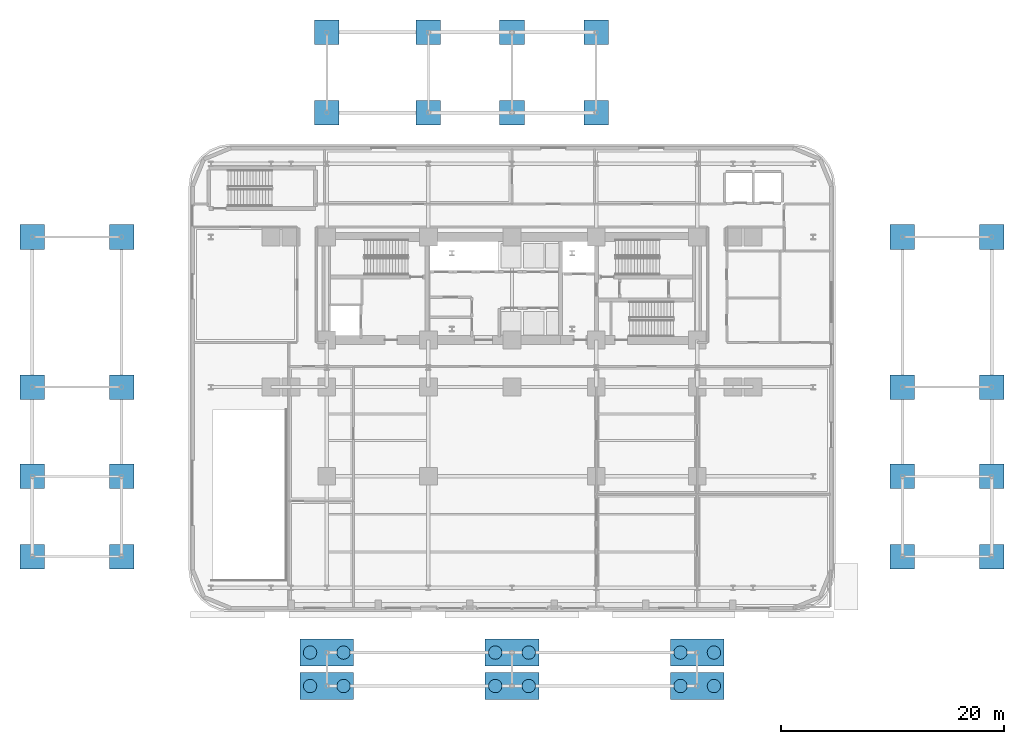
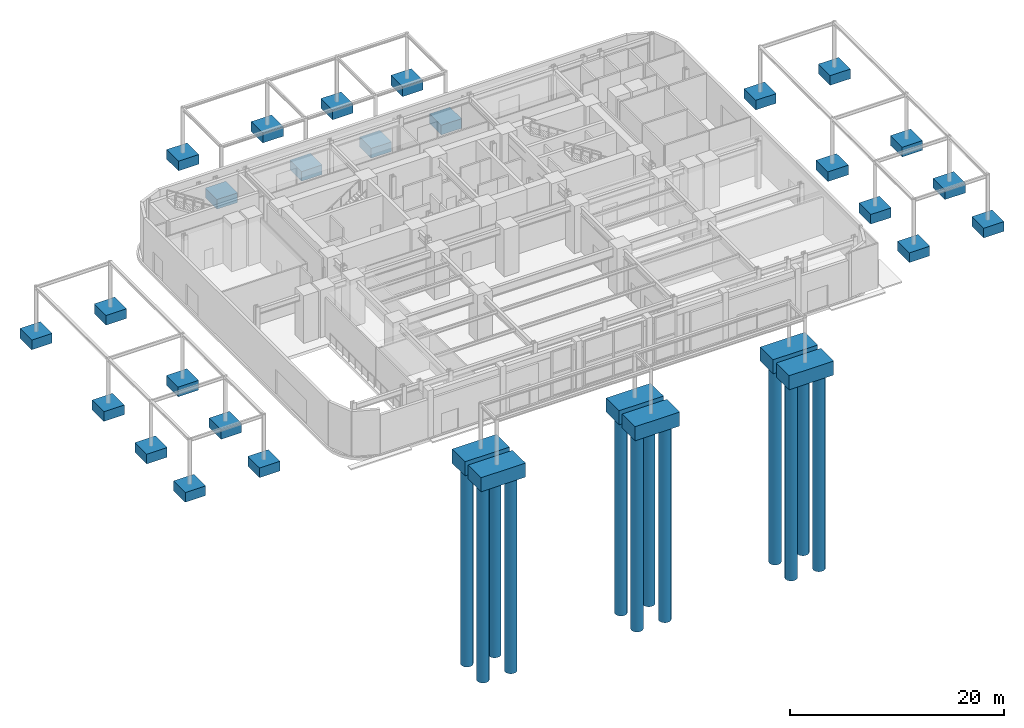
# One storey, part 1 of 21: 30 footings, 12 piles.
"""IFC4 building model written with IfcOpenShell, lengths in metres."""

from ifc_helpers import new_model, si_unit, direction, frame, origin, origin_2d, place, context, subcontext, project, spatial, polyline, circle, outline, extrude, material, layer, layer_set, material_profile, profile_set, type_object, element, save


model = new_model("IFC4")

# Units and contexts
model_context = context("Model", 3, precision=1e-05, world=origin(), true_north=direction((0.0, 1.0)))
body_context = subcontext(model_context, "Body", "Model", "MODEL_VIEW")
ifc_project = project(units=[si_unit("LENGTHUNIT", "METRE"), si_unit("AREAUNIT", "SQUARE_METRE"), si_unit("VOLUMEUNIT", "CUBIC_METRE"), si_unit("PLANEANGLEUNIT", "RADIAN"), si_unit("MASSUNIT", "GRAM", prefix="KILO")], contexts=[model_context])

# Site, building, storey
site_placement = place(None, origin())
site = spatial("IfcSite", under=ifc_project, at=site_placement, CompositionType="ELEMENT")
building_placement = place(site_placement, origin())
building = spatial("IfcBuilding", under=site, at=building_placement, Name="Zarnavel Station Tower", CompositionType="ELEMENT")
storey_placement = place(building_placement, origin())
storey = spatial("IfcBuildingStorey", under=building, at=storey_placement, Name="L01", CompositionType="ELEMENT", Elevation=0.0)

# Piles
ifc_material_1 = material(Name="Concrete C45/55", Category="concrete")
ifc_material_profile = material_profile(ifc_material_1, circle(Radius=0.60009765625, at=origin_2d()), Name="RCCOL1200")
ifc_profile_set = profile_set([ifc_material_profile], Name="Concrete C45/55")
pile_type = type_object("IfcPileType", Name="BP_1200", PredefinedType="BORED", material=ifc_profile_set)
for number, where, z_axis, x_axis, name in (
    (1, (10.699951171875, -3.199951171875, -1.39990234375), (0.0, 0.0, -1.0), (1.0, 0.0, 0.0), "Portal Bored Pile BP65"),
    (2, (13.699951171875, -3.199951171875, -1.39990234375), (0.0, 0.0, -1.0), (1.0, 0.0, 0.0), "Portal Bored Pile BP66"),
    (3, (27.300048828125, -3.199951171875, -1.39990234375), (0.0, 0.0, -1.0), (1.0, 0.0, 0.0), "Portal Bored Pile BP67"),
    (4, (30.300048828125, -3.199951171875, -1.39990234375), (0.0, 0.0, -1.0), (1.0, 0.0, 0.0), "Portal Bored Pile BP68"),
    (5, (43.89990234375, -3.199951171875, -1.39990234375), (0.0, 0.0, -1.0), (1.0, 0.0, 0.0), "Portal Bored Pile BP69"),
    (6, (46.89990234375, -3.199951171875, -1.39990234375), (0.0, 0.0, -1.0), (1.0, 0.0, 0.0), "Portal Bored Pile BP70"),
    (7, (10.699951171875, -0.199951171875, -1.39990234375), (0.0, 0.0, -1.0), (1.0, 0.0, 0.0), "Portal Bored Pile BP71"),
    (8, (13.699951171875, -0.199951171875, -1.39990234375), (0.0, 0.0, -1.0), (1.0, 0.0, 0.0), "Portal Bored Pile BP72"),
    (9, (27.300048828125, -0.199951171875, -1.39990234375), (0.0, 0.0, -1.0), (1.0, 0.0, 0.0), "Portal Bored Pile BP73"),
    (10, (30.300048828125, -0.199951171875, -1.39990234375), (0.0, 0.0, -1.0), (1.0, 0.0, 0.0), "Portal Bored Pile BP74"),
    (11, (43.89990234375, -0.199951171875, -1.39990234375), (0.0, 0.0, -1.0), (1.0, 0.0, 0.0), "Portal Bored Pile BP75"),
    (12, (46.89990234375, -0.199951171875, -1.39990234375), (0.0, 0.0, -1.0), (1.0, 0.0, 0.0), "Portal Bored Pile BP76"),
):
    element("IfcPile", number, at=place(storey_placement, frame(where, z_axis=z_axis, x_axis=x_axis)), inside=storey, type_object=pile_type, Name=name, PredefinedType="BORED", context=body_context, shape_type="SweptSolid", body=[
        extrude(circle(Radius=0.60009765625, at=origin_2d()), origin(), (0.0, 0.0, 1.0), 22.60009765625),
    ])

# Footings
ifc_material_2 = material(Name="Concrete C45/55", Category="concrete")
ifc_layer_1 = layer(ifc_material_2, 1.60009765625)
ifc_layer_set_1 = layer_set([ifc_layer_1], Name="FC_PORTAL_3200")
footing_type_1 = type_object("IfcFootingType", Name="FC_PORTAL_3200", PredefinedType="PILE_CAP", material=ifc_layer_set_1)
footing_1_placement = place(storey_placement, frame((0.0, 0.0, -1.60009765625)))
element("IfcFooting", 13, at=footing_1_placement, inside=storey, type_object=footing_type_1, Name="Station Portal Pile Cap 01", PredefinedType="PILE_CAP", context=body_context, shape_type="SweptSolid", body=[
    extrude(outline(polyline([(9.800048828125, -4.39990234375), (14.60009765625, -4.39990234375), (14.60009765625, -2.0), (9.800048828125, -2.0), (9.800048828125, -4.39990234375)])), origin(), (0.0, 0.0, 1.0), 1.60009765625),
])
footing_2_placement = place(storey_placement, frame((0.0, 0.0, -1.60009765625)))
element("IfcFooting", 14, at=footing_2_placement, inside=storey, type_object=footing_type_1, Name="Station Portal Pile Cap 02", PredefinedType="PILE_CAP", context=body_context, shape_type="SweptSolid", body=[
    extrude(outline(polyline([(26.39990234375, -4.39990234375), (31.199951171875, -4.39990234375), (31.199951171875, -2.0), (26.39990234375, -2.0), (26.39990234375, -4.39990234375)])), origin(), (0.0, 0.0, 1.0), 1.60009765625),
])
footing_3_placement = place(storey_placement, frame((0.0, 0.0, -1.60009765625)))
element("IfcFooting", 15, at=footing_3_placement, inside=storey, type_object=footing_type_1, Name="Station Portal Pile Cap 03", PredefinedType="PILE_CAP", context=body_context, shape_type="SweptSolid", body=[
    extrude(outline(polyline([(43.0, -4.39990234375), (47.800048828125, -4.39990234375), (47.800048828125, -2.0), (43.0, -2.0), (43.0, -4.39990234375)])), origin(), (0.0, 0.0, 1.0), 1.60009765625),
])
footing_4_placement = place(storey_placement, frame((0.0, 0.0, -1.60009765625)))
element("IfcFooting", 16, at=footing_4_placement, inside=storey, type_object=footing_type_1, Name="Station Portal Pile Cap 04", PredefinedType="PILE_CAP", context=body_context, shape_type="SweptSolid", body=[
    extrude(outline(polyline([(9.800048828125, -1.39990234375), (14.60009765625, -1.39990234375), (14.60009765625, 1.0), (9.800048828125, 1.0), (9.800048828125, -1.39990234375)])), origin(), (0.0, 0.0, 1.0), 1.60009765625),
])
footing_5_placement = place(storey_placement, frame((0.0, 0.0, -1.60009765625)))
element("IfcFooting", 17, at=footing_5_placement, inside=storey, type_object=footing_type_1, Name="Station Portal Pile Cap 05", PredefinedType="PILE_CAP", context=body_context, shape_type="SweptSolid", body=[
    extrude(outline(polyline([(26.39990234375, -1.39990234375), (31.199951171875, -1.39990234375), (31.199951171875, 1.0), (26.39990234375, 1.0), (26.39990234375, -1.39990234375)])), origin(), (0.0, 0.0, 1.0), 1.60009765625),
])
footing_6_placement = place(storey_placement, frame((0.0, 0.0, -1.60009765625)))
element("IfcFooting", 18, at=footing_6_placement, inside=storey, type_object=footing_type_1, Name="Station Portal Pile Cap 06", PredefinedType="PILE_CAP", context=body_context, shape_type="SweptSolid", body=[
    extrude(outline(polyline([(43.0, -1.39990234375), (47.800048828125, -1.39990234375), (47.800048828125, 1.0), (43.0, 1.0), (43.0, -1.39990234375)])), origin(), (0.0, 0.0, 1.0), 1.60009765625),
])
ifc_material_3 = material(Name="Concrete C45/55", Category="concrete")
ifc_layer_2 = layer(ifc_material_3, 1.10009765625)
ifc_layer_set_2 = layer_set([ifc_layer_2], Name="FP_CANOPY_2200")
footing_type_2 = type_object("IfcFootingType", Name="FP_CANOPY_2200", PredefinedType="PAD_FOOTING", material=ifc_layer_set_2)
footing_7_placement = place(storey_placement, frame((0.0, 0.0, -1.10009765625)))
element("IfcFooting", 19, at=footing_7_placement, inside=storey, type_object=footing_type_2, Name="East Forecourt Canopy Pad Footing 1-01", PredefinedType="PAD_FOOTING", context=body_context, shape_type="SweptSolid", body=[
    extrude(outline(polyline([(62.699951171875, 7.300048828125), (64.89990234375, 7.300048828125), (64.89990234375, 9.5), (62.699951171875, 9.5), (62.699951171875, 7.300048828125)])), origin(), (0.0, 0.0, 1.0), 1.10009765625),
])
footing_8_placement = place(storey_placement, frame((0.0, 0.0, -1.10009765625)))
element("IfcFooting", 20, at=footing_8_placement, inside=storey, type_object=footing_type_2, Name="East Forecourt Canopy Pad Footing 1-02", PredefinedType="PAD_FOOTING", context=body_context, shape_type="SweptSolid", body=[
    extrude(outline(polyline([(62.699951171875, 14.5), (64.89990234375, 14.5), (64.89990234375, 16.699951171875), (62.699951171875, 16.699951171875), (62.699951171875, 14.5)])), origin(), (0.0, 0.0, 1.0), 1.10009765625),
])
footing_9_placement = place(storey_placement, frame((0.0, 0.0, -1.10009765625)))
element("IfcFooting", 21, at=footing_9_placement, inside=storey, type_object=footing_type_2, Name="East Forecourt Canopy Pad Footing 1-03", PredefinedType="PAD_FOOTING", context=body_context, shape_type="SweptSolid", body=[
    extrude(outline(polyline([(62.699951171875, 22.5), (64.89990234375, 22.5), (64.89990234375, 24.699951171875), (62.699951171875, 24.699951171875), (62.699951171875, 22.5)])), origin(), (0.0, 0.0, 1.0), 1.10009765625),
])
footing_10_placement = place(storey_placement, frame((0.0, 0.0, -1.10009765625)))
element("IfcFooting", 22, at=footing_10_placement, inside=storey, type_object=footing_type_2, Name="East Forecourt Canopy Pad Footing 1-04", PredefinedType="PAD_FOOTING", context=body_context, shape_type="SweptSolid", body=[
    extrude(outline(polyline([(62.699951171875, 35.949951171875), (64.89990234375, 35.949951171875), (64.89990234375, 38.14990234375), (62.699951171875, 38.14990234375), (62.699951171875, 35.949951171875)])), origin(), (0.0, 0.0, 1.0), 1.10009765625),
])
footing_11_placement = place(storey_placement, frame((0.0, 0.0, -1.10009765625)))
element("IfcFooting", 23, at=footing_11_placement, inside=storey, type_object=footing_type_2, Name="East Forecourt Canopy Pad Footing 2-01", PredefinedType="PAD_FOOTING", context=body_context, shape_type="SweptSolid", body=[
    extrude(outline(polyline([(70.699951171875, 7.300048828125), (72.89990234375, 7.300048828125), (72.89990234375, 9.5), (70.699951171875, 9.5), (70.699951171875, 7.300048828125)])), origin(), (0.0, 0.0, 1.0), 1.10009765625),
])
footing_12_placement = place(storey_placement, frame((0.0, 0.0, -1.10009765625)))
element("IfcFooting", 24, at=footing_12_placement, inside=storey, type_object=footing_type_2, Name="East Forecourt Canopy Pad Footing 2-02", PredefinedType="PAD_FOOTING", context=body_context, shape_type="SweptSolid", body=[
    extrude(outline(polyline([(70.699951171875, 14.5), (72.89990234375, 14.5), (72.89990234375, 16.699951171875), (70.699951171875, 16.699951171875), (70.699951171875, 14.5)])), origin(), (0.0, 0.0, 1.0), 1.10009765625),
])
footing_13_placement = place(storey_placement, frame((0.0, 0.0, -1.10009765625)))
element("IfcFooting", 25, at=footing_13_placement, inside=storey, type_object=footing_type_2, Name="East Forecourt Canopy Pad Footing 2-03", PredefinedType="PAD_FOOTING", context=body_context, shape_type="SweptSolid", body=[
    extrude(outline(polyline([(70.699951171875, 22.5), (72.89990234375, 22.5), (72.89990234375, 24.699951171875), (70.699951171875, 24.699951171875), (70.699951171875, 22.5)])), origin(), (0.0, 0.0, 1.0), 1.10009765625),
])
footing_14_placement = place(storey_placement, frame((0.0, 0.0, -1.10009765625)))
element("IfcFooting", 26, at=footing_14_placement, inside=storey, type_object=footing_type_2, Name="East Forecourt Canopy Pad Footing 2-04", PredefinedType="PAD_FOOTING", context=body_context, shape_type="SweptSolid", body=[
    extrude(outline(polyline([(70.699951171875, 35.949951171875), (72.89990234375, 35.949951171875), (72.89990234375, 38.14990234375), (70.699951171875, 38.14990234375), (70.699951171875, 35.949951171875)])), origin(), (0.0, 0.0, 1.0), 1.10009765625),
])
footing_15_placement = place(storey_placement, frame((0.0, 0.0, -1.10009765625)))
element("IfcFooting", 27, at=footing_15_placement, inside=storey, type_object=footing_type_2, Name="West Forecourt Canopy Pad Footing 1-01", PredefinedType="PAD_FOOTING", context=body_context, shape_type="SweptSolid", body=[
    extrude(outline(polyline([(-7.300048828125, 7.300048828125), (-5.10009765625, 7.300048828125), (-5.10009765625, 9.5), (-7.300048828125, 9.5), (-7.300048828125, 7.300048828125)])), origin(), (0.0, 0.0, 1.0), 1.10009765625),
])
footing_16_placement = place(storey_placement, frame((0.0, 0.0, -1.10009765625)))
element("IfcFooting", 28, at=footing_16_placement, inside=storey, type_object=footing_type_2, Name="West Forecourt Canopy Pad Footing 1-02", PredefinedType="PAD_FOOTING", context=body_context, shape_type="SweptSolid", body=[
    extrude(outline(polyline([(-7.300048828125, 14.5), (-5.10009765625, 14.5), (-5.10009765625, 16.699951171875), (-7.300048828125, 16.699951171875), (-7.300048828125, 14.5)])), origin(), (0.0, 0.0, 1.0), 1.10009765625),
])
footing_17_placement = place(storey_placement, frame((0.0, 0.0, -1.10009765625)))
element("IfcFooting", 29, at=footing_17_placement, inside=storey, type_object=footing_type_2, Name="West Forecourt Canopy Pad Footing 1-03", PredefinedType="PAD_FOOTING", context=body_context, shape_type="SweptSolid", body=[
    extrude(outline(polyline([(-7.300048828125, 22.5), (-5.10009765625, 22.5), (-5.10009765625, 24.699951171875), (-7.300048828125, 24.699951171875), (-7.300048828125, 22.5)])), origin(), (0.0, 0.0, 1.0), 1.10009765625),
])
footing_18_placement = place(storey_placement, frame((0.0, 0.0, -1.10009765625)))
element("IfcFooting", 30, at=footing_18_placement, inside=storey, type_object=footing_type_2, Name="West Forecourt Canopy Pad Footing 1-04", PredefinedType="PAD_FOOTING", context=body_context, shape_type="SweptSolid", body=[
    extrude(outline(polyline([(-7.300048828125, 35.949951171875), (-5.10009765625, 35.949951171875), (-5.10009765625, 38.14990234375), (-7.300048828125, 38.14990234375), (-7.300048828125, 35.949951171875)])), origin(), (0.0, 0.0, 1.0), 1.10009765625),
])
footing_19_placement = place(storey_placement, frame((0.0, 0.0, -1.10009765625)))
element("IfcFooting", 31, at=footing_19_placement, inside=storey, type_object=footing_type_2, Name="West Forecourt Canopy Pad Footing 2-01", PredefinedType="PAD_FOOTING", context=body_context, shape_type="SweptSolid", body=[
    extrude(outline(polyline([(-15.300048828125, 7.300048828125), (-13.10009765625, 7.300048828125), (-13.10009765625, 9.5), (-15.300048828125, 9.5), (-15.300048828125, 7.300048828125)])), origin(), (0.0, 0.0, 1.0), 1.10009765625),
])
footing_20_placement = place(storey_placement, frame((0.0, 0.0, -1.10009765625)))
element("IfcFooting", 32, at=footing_20_placement, inside=storey, type_object=footing_type_2, Name="West Forecourt Canopy Pad Footing 2-02", PredefinedType="PAD_FOOTING", context=body_context, shape_type="SweptSolid", body=[
    extrude(outline(polyline([(-15.300048828125, 14.5), (-13.10009765625, 14.5), (-13.10009765625, 16.699951171875), (-15.300048828125, 16.699951171875), (-15.300048828125, 14.5)])), origin(), (0.0, 0.0, 1.0), 1.10009765625),
])
footing_21_placement = place(storey_placement, frame((0.0, 0.0, -1.10009765625)))
element("IfcFooting", 33, at=footing_21_placement, inside=storey, type_object=footing_type_2, Name="West Forecourt Canopy Pad Footing 2-03", PredefinedType="PAD_FOOTING", context=body_context, shape_type="SweptSolid", body=[
    extrude(outline(polyline([(-15.300048828125, 22.5), (-13.10009765625, 22.5), (-13.10009765625, 24.699951171875), (-15.300048828125, 24.699951171875), (-15.300048828125, 22.5)])), origin(), (0.0, 0.0, 1.0), 1.10009765625),
])
footing_22_placement = place(storey_placement, frame((0.0, 0.0, -1.10009765625)))
element("IfcFooting", 34, at=footing_22_placement, inside=storey, type_object=footing_type_2, Name="West Forecourt Canopy Pad Footing 2-04", PredefinedType="PAD_FOOTING", context=body_context, shape_type="SweptSolid", body=[
    extrude(outline(polyline([(-15.300048828125, 35.949951171875), (-13.10009765625, 35.949951171875), (-13.10009765625, 38.14990234375), (-15.300048828125, 38.14990234375), (-15.300048828125, 35.949951171875)])), origin(), (0.0, 0.0, 1.0), 1.10009765625),
])
footing_23_placement = place(storey_placement, frame((0.0, 0.0, -1.10009765625)))
element("IfcFooting", 35, at=footing_23_placement, inside=storey, type_object=footing_type_2, Name="North Porte-Cochere Pad Footing 1-01", PredefinedType="PAD_FOOTING", context=body_context, shape_type="SweptSolid", body=[
    extrude(outline(polyline([(11.10009765625, 47.10009765625), (13.300048828125, 47.10009765625), (13.300048828125, 49.300048828125), (11.10009765625, 49.300048828125), (11.10009765625, 47.10009765625)])), origin(), (0.0, 0.0, 1.0), 1.10009765625),
])
footing_24_placement = place(storey_placement, frame((0.0, 0.0, -1.10009765625)))
element("IfcFooting", 36, at=footing_24_placement, inside=storey, type_object=footing_type_2, Name="North Porte-Cochere Pad Footing 1-02", PredefinedType="PAD_FOOTING", context=body_context, shape_type="SweptSolid", body=[
    extrude(outline(polyline([(20.199951171875, 47.10009765625), (22.39990234375, 47.10009765625), (22.39990234375, 49.300048828125), (20.199951171875, 49.300048828125), (20.199951171875, 47.10009765625)])), origin(), (0.0, 0.0, 1.0), 1.10009765625),
])
footing_25_placement = place(storey_placement, frame((0.0, 0.0, -1.10009765625)))
element("IfcFooting", 37, at=footing_25_placement, inside=storey, type_object=footing_type_2, Name="North Porte-Cochere Pad Footing 1-03", PredefinedType="PAD_FOOTING", context=body_context, shape_type="SweptSolid", body=[
    extrude(outline(polyline([(27.699951171875, 47.10009765625), (29.89990234375, 47.10009765625), (29.89990234375, 49.300048828125), (27.699951171875, 49.300048828125), (27.699951171875, 47.10009765625)])), origin(), (0.0, 0.0, 1.0), 1.10009765625),
])
footing_26_placement = place(storey_placement, frame((0.0, 0.0, -1.10009765625)))
element("IfcFooting", 38, at=footing_26_placement, inside=storey, type_object=footing_type_2, Name="North Porte-Cochere Pad Footing 1-04", PredefinedType="PAD_FOOTING", context=body_context, shape_type="SweptSolid", body=[
    extrude(outline(polyline([(35.25, 47.10009765625), (37.449951171875, 47.10009765625), (37.449951171875, 49.300048828125), (35.25, 49.300048828125), (35.25, 47.10009765625)])), origin(), (0.0, 0.0, 1.0), 1.10009765625),
])
footing_27_placement = place(storey_placement, frame((0.0, 0.0, -1.10009765625)))
element("IfcFooting", 39, at=footing_27_placement, inside=storey, type_object=footing_type_2, Name="North Porte-Cochere Pad Footing 2-01", PredefinedType="PAD_FOOTING", context=body_context, shape_type="SweptSolid", body=[
    extrude(outline(polyline([(11.10009765625, 54.300048828125), (13.300048828125, 54.300048828125), (13.300048828125, 56.5), (11.10009765625, 56.5), (11.10009765625, 54.300048828125)])), origin(), (0.0, 0.0, 1.0), 1.10009765625),
])
footing_28_placement = place(storey_placement, frame((0.0, 0.0, -1.10009765625)))
element("IfcFooting", 40, at=footing_28_placement, inside=storey, type_object=footing_type_2, Name="North Porte-Cochere Pad Footing 2-02", PredefinedType="PAD_FOOTING", context=body_context, shape_type="SweptSolid", body=[
    extrude(outline(polyline([(20.199951171875, 54.300048828125), (22.39990234375, 54.300048828125), (22.39990234375, 56.5), (20.199951171875, 56.5), (20.199951171875, 54.300048828125)])), origin(), (0.0, 0.0, 1.0), 1.10009765625),
])
footing_29_placement = place(storey_placement, frame((0.0, 0.0, -1.10009765625)))
element("IfcFooting", 41, at=footing_29_placement, inside=storey, type_object=footing_type_2, Name="North Porte-Cochere Pad Footing 2-03", PredefinedType="PAD_FOOTING", context=body_context, shape_type="SweptSolid", body=[
    extrude(outline(polyline([(27.699951171875, 54.300048828125), (29.89990234375, 54.300048828125), (29.89990234375, 56.5), (27.699951171875, 56.5), (27.699951171875, 54.300048828125)])), origin(), (0.0, 0.0, 1.0), 1.10009765625),
])
footing_30_placement = place(storey_placement, frame((0.0, 0.0, -1.10009765625)))
element("IfcFooting", 42, at=footing_30_placement, inside=storey, type_object=footing_type_2, Name="North Porte-Cochere Pad Footing 2-04", PredefinedType="PAD_FOOTING", context=body_context, shape_type="SweptSolid", body=[
    extrude(outline(polyline([(35.25, 54.300048828125), (37.449951171875, 54.300048828125), (37.449951171875, 56.5), (35.25, 56.5), (35.25, 54.300048828125)])), origin(), (0.0, 0.0, 1.0), 1.10009765625),
])

save(model, "model.ifc")
